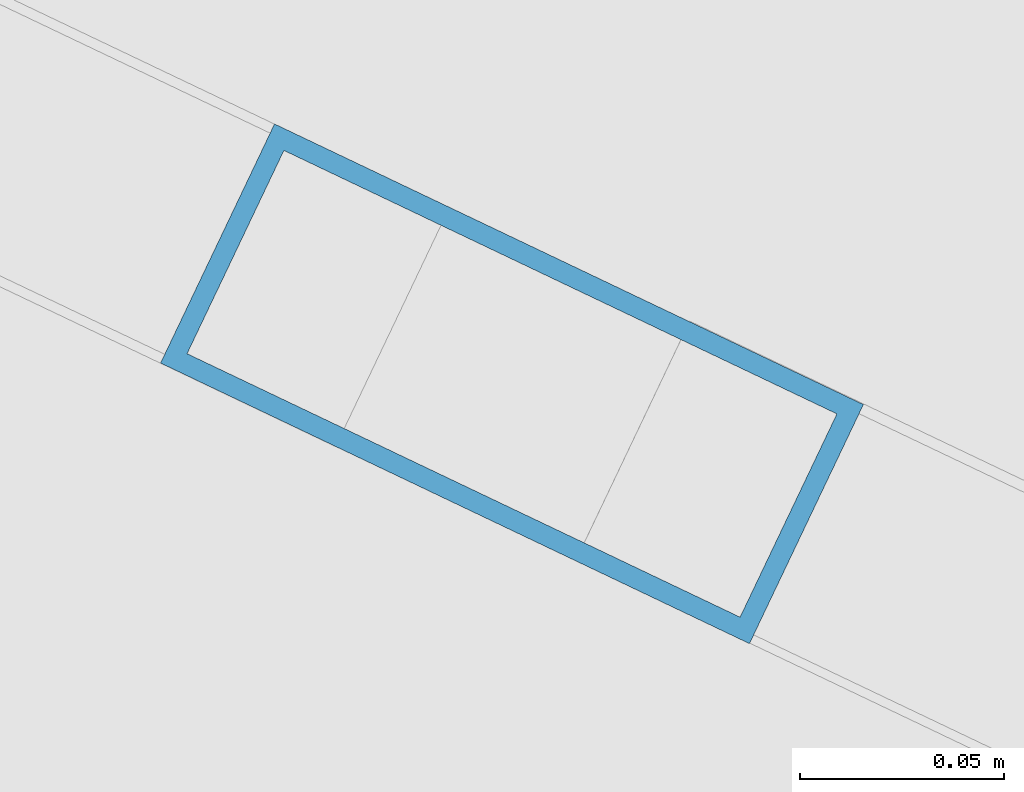
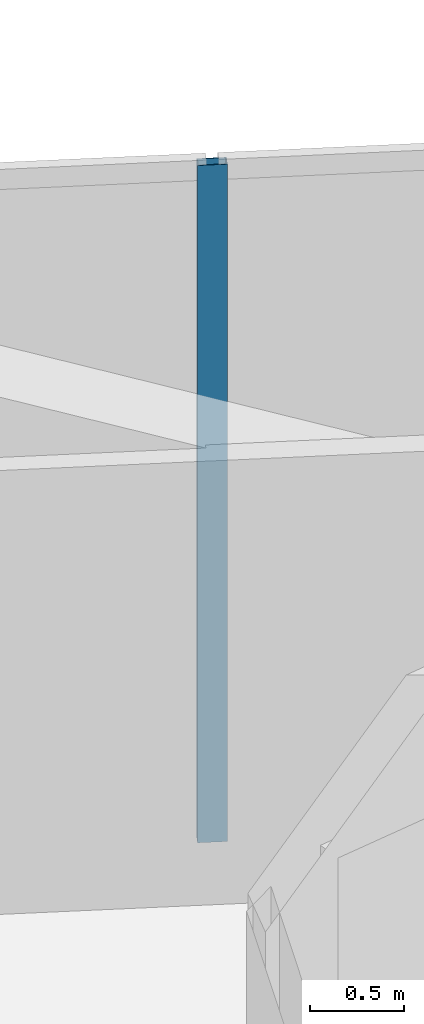
# One storey, part 13 of 22: 1 member, 1 element without a shape of its own.
"""IFC4 building model written with IfcOpenShell, lengths in metres."""

from ifc_helpers import new_model, si_unit, direction, frame, origin, origin_2d, place, context, subcontext, project, spatial, hollow_rectangle, extrude, material, layer, layer_set, material_profile, profile_set, type_object, element, aggregate, save


model = new_model("IFC4")

# Units and contexts
model_context = context("Model", 3, precision=1e-05, world=origin(), true_north=direction((0.0, 1.0)))
body_context = subcontext(model_context, "Body", "Model", "MODEL_VIEW")
ifc_project = project(units=[si_unit("LENGTHUNIT", "METRE"), si_unit("AREAUNIT", "SQUARE_METRE"), si_unit("VOLUMEUNIT", "CUBIC_METRE"), si_unit("PLANEANGLEUNIT", "RADIAN"), si_unit("MASSUNIT", "GRAM", prefix="KILO")], contexts=[model_context])

# Site, building, storey
site_placement = place(None, origin())
site = spatial("IfcSite", under=ifc_project, at=site_placement, CompositionType="ELEMENT")
building_placement = place(site_placement, origin())
building = spatial("IfcBuilding", under=site, at=building_placement, Name="Qianvela Tower", CompositionType="ELEMENT")
storey_placement = place(building_placement, frame((0.0, 0.0, 138.5)))
storey = spatial("IfcBuildingStorey", under=building, at=storey_placement, Name="L35", CompositionType="ELEMENT", Elevation=138.5)

# Curtain wall, member
ifc_material_1 = material(Name="Anodised Architectural Aluminium and Insulated Spandrel Panel", Category="aluminium")
ifc_layer = layer(ifc_material_1, 0.179931640625)
ifc_layer_set = layer_set([ifc_layer], Name="Anodised Architectural Aluminium and Insulated Spandrel Panel")
curtain_wall_type = type_object("IfcCurtainWallType", Name="CW-BRACEBAY", PredefinedType="USERDEFINED", material=ifc_layer_set)
curtain_wall_placement = place(storey_placement, origin())
curtain_wall = element("IfcCurtainWall", 1, at=curtain_wall_placement, inside=storey, type_object=curtain_wall_type, Name="L35 CW-BRACEBAY Curtain Wall 02B", ObjectType="CURTAIN_WALL_SYSTEM", PredefinedType="USERDEFINED")
ifc_material_2 = material(Name="Anodised Architectural Aluminium 6063-T6", Category="aluminium")
ifc_material_profile = material_profile(ifc_material_2, hollow_rectangle(XDim=0.06494140625, YDim=0.159912109375, WallThickness=0.0048828125, at=origin_2d()), Name="ALU-MULL-65x160")
ifc_profile_set = profile_set([ifc_material_profile], Name="Anodised Architectural Aluminium 6063-T6")
member_type = type_object("IfcMemberType", Name="CW-BRACEBAY-MULL", PredefinedType="MULLION", material=ifc_profile_set)
member_placement = place(storey_placement, frame((37.271240234375, 39.83984375, 0.0), z_axis=(0.0, 0.0, 1.0), x_axis=(-0.430086189325, -0.90278783208, 0.0)))
member = element("IfcMember", 2, at=member_placement, type_object=member_type, Name="CW-9 mullion 2", PredefinedType="MULLION", context=body_context, shape_type="SweptSolid", body=[
    extrude(hollow_rectangle(XDim=0.06494140625, YDim=0.159912109375, WallThickness=0.0048828125, at=origin_2d()), origin(), (0.0, 0.0, 1.0), 4.3798828125),
])
aggregate(curtain_wall, [member])

save(model, "model.ifc")
